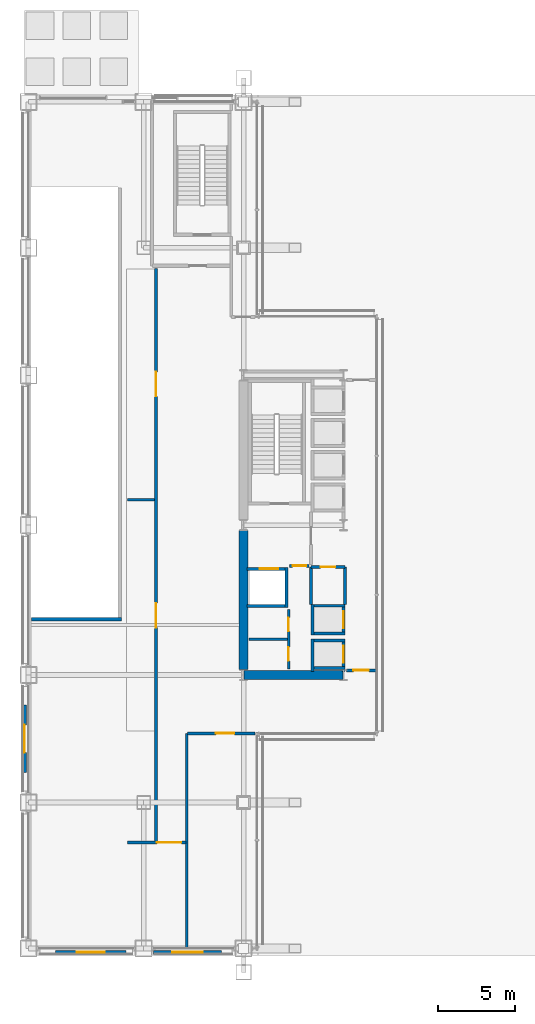
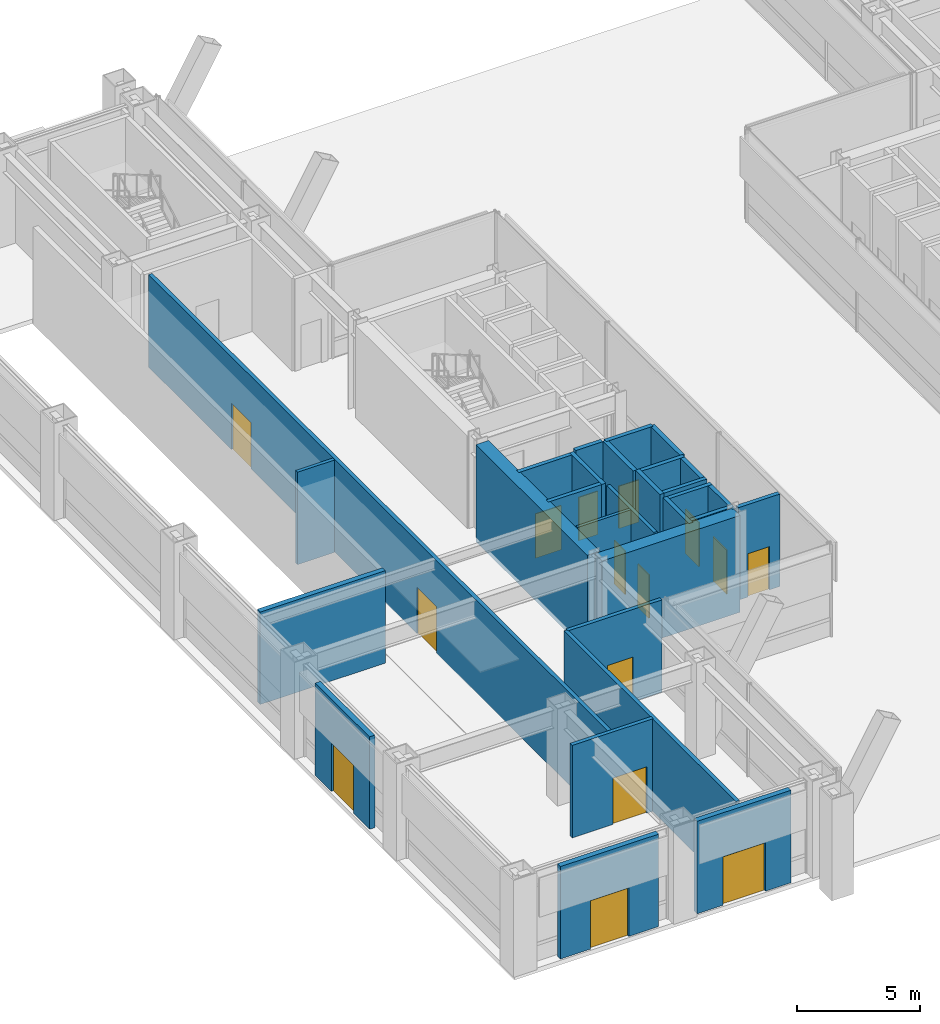
# One storey, part 30 of 37: 29 walls, 15 doors, 15 openings.
"""IFC4 building model written with IfcOpenShell, lengths in metres."""

from ifc_helpers import new_model, si_unit, direction, frame, frame_2d, origin, place, context, subcontext, project, spatial, rectangle, extrude, material, layer, layer_set, type_object, element, fill, save


model = new_model("IFC4")

# Units and contexts
model_context = context("Model", 3, precision=1e-05, world=origin(), true_north=direction((0.0, 1.0)))
body_context = subcontext(model_context, "Body", "Model", "MODEL_VIEW")
ifc_project = project(units=[si_unit("LENGTHUNIT", "METRE"), si_unit("AREAUNIT", "SQUARE_METRE"), si_unit("VOLUMEUNIT", "CUBIC_METRE"), si_unit("PLANEANGLEUNIT", "RADIAN"), si_unit("MASSUNIT", "GRAM", prefix="KILO")], contexts=[model_context])

# Site, building, storey
site_placement = place(None, origin())
site = spatial("IfcSite", under=ifc_project, at=site_placement, CompositionType="ELEMENT")
building_placement = place(site_placement, origin())
building = spatial("IfcBuilding", under=site, at=building_placement, Name="Brelmoor Portico Tower", CompositionType="ELEMENT")
storey_placement = place(building_placement, origin())
storey = spatial("IfcBuildingStorey", under=building, at=storey_placement, Name="L00", CompositionType="ELEMENT", Elevation=0.0)

# Walls
ifc_material_1 = material(Name="Concrete C60", Category="concrete")
ifc_layer_1 = layer(ifc_material_1, 0.60009765625)
ifc_layer_set_1 = layer_set([ifc_layer_1], Name="Concrete C60")
wall_type_1 = type_object("IfcWallType", Name="WL-CORE-600", PredefinedType="SHEAR", material=ifc_layer_set_1)
wall_1_placement = place(storey_placement, frame((-14.530029296875, -9.75, -0.219970703125), z_axis=(0.0, 0.0, 1.0), x_axis=(1.0, 0.0, 0.0)))
element("IfcWall", 1, at=wall_1_placement, inside=storey, type_object=wall_type_1, Name="L00 WC South Shear Wall", PredefinedType="SHEAR", context=body_context, shape_type="SweptSolid", body=[
    extrude(rectangle(XDim=6.4599609375, YDim=0.60009765625, at=frame_2d((3.22998046875, 0.0))), origin(), (0.0, 0.0, 1.0), 4.800048828125),
])
wall_2_placement = place(storey_placement, frame((-14.550048828125, -9.39990234375, -0.219970703125), z_axis=(0.0, 0.0, 1.0), x_axis=(0.0, 1.0, 0.0)))
element("IfcWall", 2, at=wall_2_placement, inside=storey, type_object=wall_type_1, Name="L00 WC Outer South Shear Wall", PredefinedType="SHEAR", context=body_context, shape_type="SweptSolid", body=[
    extrude(rectangle(XDim=9.0498046875, YDim=0.60009765625, at=frame_2d((4.52490234375, 0.0))), origin(), (0.0, 0.0, 1.0), 4.800048828125),
])

# Wall, opening, door
ifc_material_2 = material(Name="Precast Concrete C40 Insulated Facade Wall", Category="concrete")
ifc_layer_2 = layer(ifc_material_2, 0.25)
ifc_layer_set_2 = layer_set([ifc_layer_2], Name="Precast Concrete C40 Insulated Facade Wall")
wall_type_2 = type_object("IfcWallType", Name="WL-EXT-250", PredefinedType="STANDARD", material=ifc_layer_set_2)
wall_3_placement = place(storey_placement, frame((-16.0, -27.800048828125, 0.0), z_axis=(0.0, 0.0, 1.0), x_axis=(-1.0, 0.0, 0.0)))
wall_3 = element("IfcWall", 3, at=wall_3_placement, inside=storey, type_object=wall_type_2, Name="L00 Final Exit Portal Wall ED-01", PredefinedType="STANDARD", context=body_context, shape_type="SweptSolid", body=[
    extrude(rectangle(XDim=4.39990234375, YDim=0.25, at=frame_2d((2.199951171875, 0.0))), origin(), (0.0, 0.0, 1.0), 4.580078125),
])
opening_1_placement = place(wall_3_placement, frame((1.199951171875, 0.0, 0.0)))
opening_1 = element("IfcOpeningElement", 4, at=opening_1_placement, cuts=wall_3, Name="Opening ED-01", PredefinedType="OPENING", context=body_context, shape_type="SweptSolid", body=[
    extrude(rectangle(XDim=2.0, YDim=2.39990234375, at=frame_2d((1.0, 1.199951171875))), frame((0.0, 0.135009765625, 0.0), z_axis=(0.0, -1.0, 0.0), x_axis=(1.0, 0.0, 0.0)), (0.0, 0.0, 1.0), 0.27001953125),
])
ifc_material_3 = material(Name="Anodised Aluminium Outward Panic Exit Door", Category="aluminium")
door_type_1 = type_object("IfcDoorType", Name="DR-EXIT-2000", OperationType="NOTDEFINED", PredefinedType="DOOR", material=ifc_material_3)
door_1_placement = place(opening_1_placement, origin())
door_1 = element("IfcDoor", 5, at=door_1_placement, inside=storey, type_object=door_type_1, Name="D-0049 L00 Ground Final Exit Door ED-01", OperationType="DOUBLE_DOOR_SINGLE_SWING", OverallHeight=2.39990234375, OverallWidth=2.0, PredefinedType="DOOR", context=body_context, shape_type="SweptSolid", body=[
    extrude(rectangle(XDim=2.0, YDim=2.39990234375, at=frame_2d((1.0, 1.199951171875))), frame((0.0, 0.02490234375, 0.0), z_axis=(0.0, -1.0, 0.0), x_axis=(1.0, 0.0, 0.0)), (0.0, 0.0, 1.0), 0.050048828125),
])
fill(opening_1, door_1)

wall_4_placement = place(storey_placement, frame((-22.199951171875, -27.800048828125, 0.0), z_axis=(0.0, 0.0, 1.0), x_axis=(-1.0, 0.0, 0.0)))
wall_4 = element("IfcWall", 6, at=wall_4_placement, inside=storey, type_object=wall_type_2, Name="L00 Final Exit Portal Wall ED-02", PredefinedType="STANDARD", context=body_context, shape_type="SweptSolid", body=[
    extrude(rectangle(XDim=4.60009765625, YDim=0.25, at=frame_2d((2.300048828125, 0.0))), origin(), (0.0, 0.0, 1.0), 4.580078125),
])
opening_2_placement = place(wall_4_placement, frame((1.39990234375, 0.0, 0.0)))
opening_2 = element("IfcOpeningElement", 7, at=opening_2_placement, cuts=wall_4, Name="Opening ED-02", PredefinedType="OPENING", context=body_context, shape_type="SweptSolid", body=[
    extrude(rectangle(XDim=1.800048828125, YDim=2.39990234375, at=frame_2d((0.89990234375, 1.199951171875))), frame((0.0, 0.135009765625, 0.0), z_axis=(0.0, -1.0, 0.0), x_axis=(1.0, 0.0, 0.0)), (0.0, 0.0, 1.0), 0.27001953125),
])
ifc_material_4 = material(Name="Anodised Aluminium Secondary Exit Door", Category="aluminium")
door_type_2 = type_object("IfcDoorType", Name="DR-EXIT-1800", OperationType="NOTDEFINED", PredefinedType="DOOR", material=ifc_material_4)
door_2_placement = place(opening_2_placement, origin())
door_2 = element("IfcDoor", 8, at=door_2_placement, inside=storey, type_object=door_type_2, Name="D-0050 L00 Ground Final Exit Door ED-02", OperationType="DOUBLE_DOOR_SINGLE_SWING", OverallHeight=2.39990234375, OverallWidth=1.800048828125, PredefinedType="DOOR", context=body_context, shape_type="SweptSolid", body=[
    extrude(rectangle(XDim=1.800048828125, YDim=2.39990234375, at=frame_2d((0.89990234375, 1.199951171875))), frame((0.0, 0.02490234375, 0.0), z_axis=(0.0, -1.0, 0.0), x_axis=(1.0, 0.0, 0.0)), (0.0, 0.0, 1.0), 0.050048828125),
])
fill(opening_2, door_2)

wall_5_placement = place(storey_placement, frame((-28.800048828125, -16.10009765625, 0.0), z_axis=(0.0, 0.0, 1.0), x_axis=(0.0, 1.0, 0.0)))
wall_5 = element("IfcWall", 9, at=wall_5_placement, inside=storey, type_object=wall_type_2, Name="L00 Final Exit Portal Wall ED-07", PredefinedType="STANDARD", context=body_context, shape_type="SweptSolid", body=[
    extrude(rectangle(XDim=4.400146484375, YDim=0.25, at=frame_2d((2.2001953125, 0.0))), origin(), (0.0, 0.0, 1.0), 4.580078125),
])
opening_3_placement = place(wall_5_placement, frame((1.300048828125, 0.0, 0.0)))
opening_3 = element("IfcOpeningElement", 10, at=opening_3_placement, cuts=wall_5, Name="Opening ED-02", PredefinedType="OPENING", context=body_context, shape_type="SweptSolid", body=[
    extrude(rectangle(XDim=1.800048828125, YDim=2.39990234375, at=frame_2d((0.89990234375, 1.199951171875))), frame((0.0, 0.135009765625, 0.0), z_axis=(0.0, -1.0, 0.0), x_axis=(1.0, 0.0, 0.0)), (0.0, 0.0, 1.0), 0.27001953125),
])
door_3_placement = place(opening_3_placement, origin())
door_3 = element("IfcDoor", 11, at=door_3_placement, inside=storey, type_object=door_type_2, Name="D-0055 L00 Ground Final Exit Door ED-07", OperationType="DOUBLE_DOOR_SINGLE_SWING", OverallHeight=2.39990234375, OverallWidth=1.800048828125, PredefinedType="DOOR", context=body_context, shape_type="SweptSolid", body=[
    extrude(rectangle(XDim=1.800048828125, YDim=2.39990234375, at=frame_2d((0.89990234375, 1.199951171875))), frame((0.0, 0.02490234375, 0.0), z_axis=(0.0, -1.0, 0.0), x_axis=(1.0, 0.0, 0.0)), (0.0, 0.0, 1.0), 0.050048828125),
])
fill(opening_3, door_3)

# Wall
ifc_material_5 = material(Name="Insulated Stud Suite Partition", Category="gypsum")
ifc_layer_3 = layer(ifc_material_5, 0.139892578125)
ifc_layer_set_3 = layer_set([ifc_layer_3], Name="Insulated Stud Suite Partition")
wall_type_3 = type_object("IfcWallType", Name="WL-PART-140", PredefinedType="PARTITIONING", material=ifc_layer_set_3)
wall_6_placement = place(storey_placement, frame((-11.699951171875, -7.425048828125, 0.0), z_axis=(0.0, 0.0, 1.0), x_axis=(-1.0, 0.0, 0.0)))
element("IfcWall", 12, at=wall_6_placement, inside=storey, type_object=wall_type_3, Name="L00 W Core WC Divider 1", PredefinedType="PARTITIONING", context=body_context, shape_type="SweptSolid", body=[
    extrude(rectangle(XDim=2.5, YDim=0.139892578125, at=frame_2d((1.25, 0.0))), origin(), (0.0, 0.0, 1.0), 4.580078125),
])

# Wall, openings, doors
ifc_material_6 = material(Name="Twin-Frame Acoustic Partition", Category="gypsum")
ifc_layer_4 = layer(ifc_material_6, 0.159912109375)
ifc_layer_set_4 = layer_set([ifc_layer_4], Name="Twin-Frame Acoustic Partition")
wall_type_4 = type_object("IfcWallType", Name="WL-PART-160", PredefinedType="PARTITIONING", material=ifc_layer_set_4)
wall_7_placement = place(storey_placement, frame((-11.6201171875, -9.35009765625, 0.0), z_axis=(0.0, 0.0, 1.0), x_axis=(0.0, 1.0, 0.0)))
wall_7 = element("IfcWall", 13, at=wall_7_placement, inside=storey, type_object=wall_type_4, Name="L00 W Core Service Front Wall", PredefinedType="PARTITIONING", context=body_context, shape_type="SweptSolid", body=[
    extrude(rectangle(XDim=3.85009765625, YDim=0.159912109375, at=frame_2d((1.925048828125, 0.0))), origin(), (0.0, 0.0, 1.0), 4.580078125),
])
opening_4_placement = place(wall_7_placement, frame((0.512451171875, 0.0, 0.0)))
opening_4 = element("IfcOpeningElement", 14, at=opening_4_placement, cuts=wall_7, Name="Opening D-IN1", PredefinedType="OPENING", context=body_context, shape_type="SweptSolid", body=[
    extrude(rectangle(XDim=0.89990234375, YDim=2.14990234375, at=frame_2d((0.449951171875, 1.074951171875))), frame((0.0, 0.08984375, 0.0), z_axis=(0.0, -1.0, 0.0), x_axis=(1.0, 0.0, 0.0)), (0.0, 0.0, 1.0), 0.179931640625),
])
opening_5_placement = place(wall_7_placement, frame((2.4375, 0.0, 0.0)))
opening_5 = element("IfcOpeningElement", 15, at=opening_5_placement, cuts=wall_7, Name="Opening D-IN1", PredefinedType="OPENING", context=body_context, shape_type="SweptSolid", body=[
    extrude(rectangle(XDim=0.89990234375, YDim=2.14990234375, at=frame_2d((0.449951171875, 1.074951171875))), frame((0.0, 0.08984375, 0.0), z_axis=(0.0, -1.0, 0.0), x_axis=(1.0, 0.0, 0.0)), (0.0, 0.0, 1.0), 0.179931640625),
])
ifc_material_7 = material(Name="Lacquered Timber Suite Door", Category="wood")
door_type_3 = type_object("IfcDoorType", Name="DR-INT-900", OperationType="NOTDEFINED", PredefinedType="DOOR", material=ifc_material_7)
door_4_placement = place(opening_4_placement, origin())
door_4 = element("IfcDoor", 16, at=door_4_placement, inside=storey, type_object=door_type_3, Name="D-0047 L00 W Accessible WC Door", OperationType="SINGLE_SWING_LEFT", OverallHeight=2.14990234375, OverallWidth=0.89990234375, PredefinedType="DOOR", context=body_context, shape_type="SweptSolid", body=[
    extrude(rectangle(XDim=0.89990234375, YDim=2.14990234375, at=frame_2d((0.449951171875, 1.074951171875))), frame((0.0, 0.02490234375, 0.0), z_axis=(0.0, -1.0, 0.0), x_axis=(1.0, 0.0, 0.0)), (0.0, 0.0, 1.0), 0.050048828125),
])
fill(opening_4, door_4)
door_5_placement = place(opening_5_placement, origin())
door_5 = element("IfcDoor", 17, at=door_5_placement, inside=storey, type_object=door_type_3, Name="D-0048 L00 W Staff WC Door", OperationType="SINGLE_SWING_RIGHT", OverallHeight=2.14990234375, OverallWidth=0.89990234375, PredefinedType="DOOR", context=body_context, shape_type="SweptSolid", body=[
    extrude(rectangle(XDim=0.89990234375, YDim=2.14990234375, at=frame_2d((0.449951171875, 1.074951171875))), frame((0.0, 0.02490234375, 0.0), z_axis=(0.0, -1.0, 0.0), x_axis=(1.0, 0.0, 0.0)), (0.0, 0.0, 1.0), 0.050048828125),
])
fill(opening_5, door_5)

# Wall
wall_8_placement = place(storey_placement, frame((-20.35009765625, 1.64990234375, 0.0), z_axis=(0.0, 0.0, 1.0), x_axis=(-1.0, 0.0, 0.0)))
element("IfcWall", 18, at=wall_8_placement, inside=storey, type_object=wall_type_4, Name="L00 W Wing Divider 1", PredefinedType="PARTITIONING", context=body_context, shape_type="SweptSolid", body=[
    extrude(rectangle(XDim=1.75, YDim=0.159912109375, at=frame_2d((0.875, 0.0))), origin(), (0.0, 0.0, 1.0), 4.580078125),
])

# Wall, openings, doors
ifc_material_8 = material(Name="Acoustic Corridor Fire Partition", Category="gypsum")
ifc_layer_5 = layer(ifc_material_8, 0.179931640625)
ifc_layer_set_5 = layer_set([ifc_layer_5], Name="Acoustic Corridor Fire Partition")
wall_type_5 = type_object("IfcWallType", Name="WL-PART-180", PredefinedType="PARTITIONING", material=ifc_layer_set_5)
wall_9_placement = place(storey_placement, frame((-20.25, -20.60009765625, 0.0), z_axis=(0.0, 0.0, 1.0), x_axis=(0.0, 1.0, 0.0)))
wall_9 = element("IfcWall", 19, at=wall_9_placement, inside=storey, type_object=wall_type_5, Name="L00 W Wing Concourse Wall", PredefinedType="PARTITIONING", context=body_context, shape_type="SweptSolid", body=[
    extrude(rectangle(XDim=37.300048828125, YDim=0.179931640625, at=frame_2d((18.64990234375, 0.0))), origin(), (0.0, 0.0, 1.0), 4.580078125),
])
opening_6_placement = place(wall_9_placement, frame((13.925048828125, 0.0, 0.0)))
opening_6 = element("IfcOpeningElement", 20, at=opening_6_placement, cuts=wall_9, Name="Opening D-PB1", PredefinedType="OPENING", context=body_context, shape_type="SweptSolid", body=[
    extrude(rectangle(XDim=1.60009765625, YDim=2.300048828125, at=frame_2d((0.800048828125, 1.14990234375))), frame((0.0, 0.099853515625, 0.0), z_axis=(0.0, -1.0, 0.0), x_axis=(1.0, 0.0, 0.0)), (0.0, 0.0, 1.0), 0.199951171875),
])
opening_7_placement = place(wall_9_placement, frame((28.97509765625, 0.0, 0.0)))
opening_7 = element("IfcOpeningElement", 21, at=opening_7_placement, cuts=wall_9, Name="Opening D-PB1", PredefinedType="OPENING", context=body_context, shape_type="SweptSolid", body=[
    extrude(rectangle(XDim=1.60009765625, YDim=2.300048828125, at=frame_2d((0.800048828125, 1.14990234375))), frame((0.0, 0.099853515625, 0.0), z_axis=(0.0, -1.0, 0.0), x_axis=(1.0, 0.0, 0.0)), (0.0, 0.0, 1.0), 0.199951171875),
])
ifc_material_9 = material(Name="Double-Leaf Anodised Aluminium Hall Door", Category="aluminium")
door_type_4 = type_object("IfcDoorType", Name="DR-PUBLIC-1600", OperationType="NOTDEFINED", PredefinedType="DOOR", material=ifc_material_9)
door_6_placement = place(opening_6_placement, origin())
door_6 = element("IfcDoor", 22, at=door_6_placement, inside=storey, type_object=door_type_4, Name="D-0075 L00 W Public Exhibition Studio Door", OperationType="DOUBLE_DOOR_SINGLE_SWING", OverallHeight=2.300048828125, OverallWidth=1.60009765625, PredefinedType="DOOR", context=body_context, shape_type="SweptSolid", body=[
    extrude(rectangle(XDim=1.60009765625, YDim=2.300048828125, at=frame_2d((0.800048828125, 1.14990234375))), frame((0.0, 0.02490234375, 0.0), z_axis=(0.0, -1.0, 0.0), x_axis=(1.0, 0.0, 0.0)), (0.0, 0.0, 1.0), 0.050048828125),
])
fill(opening_6, door_6)
door_7_placement = place(opening_7_placement, origin())
door_7 = element("IfcDoor", 23, at=door_7_placement, inside=storey, type_object=door_type_4, Name="D-0076 L00 W Flagship Retail Arcade Door", OperationType="DOUBLE_DOOR_SINGLE_SWING", OverallHeight=2.300048828125, OverallWidth=1.60009765625, PredefinedType="DOOR", context=body_context, shape_type="SweptSolid", body=[
    extrude(rectangle(XDim=1.60009765625, YDim=2.300048828125, at=frame_2d((0.800048828125, 1.14990234375))), frame((0.0, 0.02490234375, 0.0), z_axis=(0.0, -1.0, 0.0), x_axis=(1.0, 0.0, 0.0)), (0.0, 0.0, 1.0), 0.050048828125),
])
fill(opening_7, door_7)

# Wall, opening, door
wall_10_placement = place(storey_placement, frame((-13.800048828125, -13.550048828125, 0.0), z_axis=(0.0, 0.0, 1.0), x_axis=(-1.0, 0.0, 0.0)))
wall_10 = element("IfcWall", 24, at=wall_10_placement, inside=storey, type_object=wall_type_5, Name="L00 W South Hall Wall", PredefinedType="PARTITIONING", context=body_context, shape_type="SweptSolid", body=[
    extrude(rectangle(XDim=4.39990234375, YDim=0.179931640625, at=frame_2d((2.199951171875, 0.0))), origin(), (0.0, 0.0, 1.0), 4.580078125),
])
opening_8_placement = place(wall_10_placement, frame((1.35009765625, 0.0, 0.0)))
opening_8 = element("IfcOpeningElement", 25, at=opening_8_placement, cuts=wall_10, Name="Opening D-FR3", PredefinedType="OPENING", context=body_context, shape_type="SweptSolid", body=[
    extrude(rectangle(XDim=1.199951171875, YDim=2.219970703125, at=frame_2d((0.60009765625, 1.10986328125))), frame((0.0, 0.099853515625, 0.0), z_axis=(0.0, -1.0, 0.0), x_axis=(1.0, 0.0, 0.0)), (0.0, 0.0, 1.0), 0.199951171875),
])
ifc_material_10 = material(Name="Painted Galvanised Steel Fire Door", Category="steel")
door_type_5 = type_object("IfcDoorType", Name="DR-FIRE-1200", OperationType="NOTDEFINED", PredefinedType="DOOR", material=ifc_material_10)
door_8_placement = place(opening_8_placement, origin())
door_8 = element("IfcDoor", 26, at=door_8_placement, inside=storey, type_object=door_type_5, Name="D-0070 L00 W Fire Command Centre Door", OperationType="SINGLE_SWING_LEFT", OverallHeight=2.219970703125, OverallWidth=1.199951171875, PredefinedType="DOOR", context=body_context, shape_type="SweptSolid", body=[
    extrude(rectangle(XDim=1.199951171875, YDim=2.219970703125, at=frame_2d((0.60009765625, 1.10986328125))), frame((0.0, 0.02490234375, 0.0), z_axis=(0.0, -1.0, 0.0), x_axis=(1.0, 0.0, 0.0)), (0.0, 0.0, 1.0), 0.050048828125),
])
fill(opening_8, door_8)

# Wall
wall_11_placement = place(storey_placement, frame((-18.25, -27.5, 0.0), z_axis=(0.0, 0.0, 1.0), x_axis=(0.0, 1.0, 0.0)))
element("IfcWall", 27, at=wall_11_placement, inside=storey, type_object=wall_type_5, Name="L00 W South Studio Side Wall", PredefinedType="PARTITIONING", context=body_context, shape_type="SweptSolid", body=[
    extrude(rectangle(XDim=13.949951171875, YDim=0.179931640625, at=frame_2d((6.97509765625, 0.0))), origin(), (0.0, 0.0, 1.0), 4.580078125),
])

# Wall, opening, door
wall_12_placement = place(storey_placement, frame((-18.300048828125, -20.64990234375, 0.0), z_axis=(0.0, 0.0, 1.0), x_axis=(-1.0, 0.0, 0.0)))
wall_12 = element("IfcWall", 28, at=wall_12_placement, inside=storey, type_object=wall_type_5, Name="L00 W South Corner Concourse Wall", PredefinedType="PARTITIONING", context=body_context, shape_type="SweptSolid", body=[
    extrude(rectangle(XDim=3.800048828125, YDim=0.179931640625, at=frame_2d((1.89990234375, 0.0))), origin(), (0.0, 0.0, 1.0), 4.580078125),
])
opening_9_placement = place(wall_12_placement, frame((0.300048828125, 0.0, 0.0)))
opening_9 = element("IfcOpeningElement", 29, at=opening_9_placement, cuts=wall_12, Name="Opening D-PB1", PredefinedType="OPENING", context=body_context, shape_type="SweptSolid", body=[
    extrude(rectangle(XDim=1.60009765625, YDim=2.300048828125, at=frame_2d((0.800048828125, 1.14990234375))), frame((0.0, 0.099853515625, 0.0), z_axis=(0.0, -1.0, 0.0), x_axis=(1.0, 0.0, 0.0)), (0.0, 0.0, 1.0), 0.199951171875),
])
door_9_placement = place(opening_9_placement, origin())
door_9 = element("IfcDoor", 30, at=door_9_placement, inside=storey, type_object=door_type_4, Name="D-0072 L00 W South Corner Retail Door", OperationType="DOUBLE_DOOR_SINGLE_SWING", OverallHeight=2.300048828125, OverallWidth=1.60009765625, PredefinedType="DOOR", context=body_context, shape_type="SweptSolid", body=[
    extrude(rectangle(XDim=1.60009765625, YDim=2.300048828125, at=frame_2d((0.800048828125, 1.14990234375))), frame((0.0, 0.02490234375, 0.0), z_axis=(0.0, -1.0, 0.0), x_axis=(1.0, 0.0, 0.0)), (0.0, 0.0, 1.0), 0.050048828125),
])
fill(opening_9, door_9)

ifc_material_11 = material(Name="Double-Stud Gypsum Fire Partition", Category="gypsum")
ifc_layer_6 = layer(ifc_material_11, 0.199951171875)
ifc_layer_set_6 = layer_set([ifc_layer_6], Name="Double-Stud Gypsum Fire Partition")
wall_type_6 = type_object("IfcWallType", Name="WL-PART-200", PredefinedType="PARTITIONING", material=ifc_layer_set_6)
wall_13_placement = place(storey_placement, frame((-10.280029296875, -2.64990234375, 0.0), z_axis=(0.0, 0.0, 1.0), x_axis=(-1.0, 0.0, 0.0)))
wall_13 = element("IfcWall", 31, at=wall_13_placement, inside=storey, type_object=wall_type_6, Name="L00 W Firefighting Lobby South Wall", PredefinedType="PARTITIONING", context=body_context, shape_type="SweptSolid", body=[
    extrude(rectangle(XDim=1.27001953125, YDim=0.199951171875, at=frame_2d((0.635009765625, 0.0))), origin(), (0.0, 0.0, 1.0), 4.580078125),
])
opening_10_placement = place(wall_13_placement, frame((0.18505859375, 0.0, 0.0)))
opening_10 = element("IfcOpeningElement", 32, at=opening_10_placement, cuts=wall_13, Name="Opening D-IN1", PredefinedType="OPENING", context=body_context, shape_type="SweptSolid", body=[
    extrude(rectangle(XDim=0.89990234375, YDim=2.14990234375, at=frame_2d((0.449951171875, 1.074951171875))), frame((0.0, 0.10986328125, 0.0), z_axis=(0.0, -1.0, 0.0), x_axis=(1.0, 0.0, 0.0)), (0.0, 0.0, 1.0), 0.219970703125),
])
door_10_placement = place(opening_10_placement, origin())
door_10 = element("IfcDoor", 33, at=door_10_placement, inside=storey, type_object=door_type_3, Name="D-0046 L00 W Core Service Vestibule Door", OperationType="SINGLE_SWING_LEFT", OverallHeight=2.14990234375, OverallWidth=0.89990234375, PredefinedType="DOOR", context=body_context, shape_type="SweptSolid", body=[
    extrude(rectangle(XDim=0.89990234375, YDim=2.14990234375, at=frame_2d((0.449951171875, 1.074951171875))), frame((0.0, 0.02490234375, 0.0), z_axis=(0.0, -1.0, 0.0), x_axis=(1.0, 0.0, 0.0)), (0.0, 0.0, 1.0), 0.050048828125),
])
fill(opening_10, door_10)

wall_14_placement = place(storey_placement, frame((-7.9599609375, -2.719970703125, 0.0), z_axis=(0.0, 0.0, 1.0), x_axis=(-1.0, 0.0, 0.0)))
wall_14 = element("IfcWall", 34, at=wall_14_placement, inside=storey, type_object=wall_type_6, Name="L00 W Electrical Switchgear Closet Wall", PredefinedType="PARTITIONING", context=body_context, shape_type="SweptSolid", body=[
    extrude(rectangle(XDim=2.199951171875, YDim=0.199951171875, at=frame_2d((1.10009765625, 0.0))), origin(), (0.0, 0.0, 1.0), 4.580078125),
])
opening_11_placement = place(wall_14_placement, frame((0.6201171875, 0.0, 0.0)))
opening_11 = element("IfcOpeningElement", 35, at=opening_11_placement, cuts=wall_14, Name="Opening D-FR4", PredefinedType="OPENING", context=body_context, shape_type="SweptSolid", body=[
    extrude(rectangle(XDim=0.949951171875, YDim=2.10009765625, at=frame_2d((0.47509765625, 1.050048828125))), frame((0.0, 0.10986328125, 0.0), z_axis=(0.0, -1.0, 0.0), x_axis=(1.0, 0.0, 0.0)), (0.0, 0.0, 1.0), 0.219970703125),
])
ifc_material_12 = material(Name="Painted Galvanised Steel Riser Door", Category="steel")
door_type_6 = type_object("IfcDoorType", Name="DR-FIRE-950", OperationType="NOTDEFINED", PredefinedType="DOOR", material=ifc_material_12)
door_11_placement = place(opening_11_placement, origin())
door_11 = element("IfcDoor", 36, at=door_11_placement, inside=storey, type_object=door_type_6, Name="D-0058 L00 W Electrical Switchgear Closet Door", OperationType="SINGLE_SWING_RIGHT", OverallHeight=2.10009765625, OverallWidth=0.949951171875, PredefinedType="DOOR", context=body_context, shape_type="SweptSolid", body=[
    extrude(rectangle(XDim=0.949951171875, YDim=2.10009765625, at=frame_2d((0.47509765625, 1.050048828125))), frame((0.0, 0.02490234375, 0.0), z_axis=(0.0, -1.0, 0.0), x_axis=(1.0, 0.0, 0.0)), (0.0, 0.0, 1.0), 0.050048828125),
])
fill(opening_11, door_11)

# Walls
for number, where, z_axis, x_axis, name in (
    (37, (-7.9599609375, -5.159912109375, 0.0), (0.0, 0.0, 1.0), (0.0, 1.0, 0.0), "L00 W Electrical Switchgear Closet Inner Wall"),
    (38, (-10.159912109375, -5.159912109375, 0.0), (0.0, 0.0, 1.0), (0.0, 1.0, 0.0), "L00 W Electrical Switchgear Closet Outer Wall"),
):
    element("IfcWall", number, at=place(storey_placement, frame(where, z_axis=z_axis, x_axis=x_axis)), inside=storey, type_object=wall_type_6, Name=name, PredefinedType="PARTITIONING", context=body_context, shape_type="SweptSolid", body=[
        extrude(rectangle(XDim=2.43994140625, YDim=0.199951171875, at=frame_2d((1.219970703125, 0.0))), origin(), (0.0, 0.0, 1.0), 4.580078125),
    ])

# Wall, opening, door
wall_15_placement = place(storey_placement, frame((-7.85009765625, -9.449951171875, 0.0), z_axis=(0.0, 0.0, 1.0), x_axis=(1.0, 0.0, 0.0)))
wall_15 = element("IfcWall", 39, at=wall_15_placement, inside=storey, type_object=wall_type_6, Name="L00 W Pier Lift Lobby South Wall", PredefinedType="PARTITIONING", context=body_context, shape_type="SweptSolid", body=[
    extrude(rectangle(XDim=1.93017578125, YDim=0.199951171875, at=frame_2d((0.965087890625, 0.0))), origin(), (0.0, 0.0, 1.0), 4.580078125),
])
opening_12_placement = place(wall_15_placement, frame((0.449951171875, 0.0, 0.0)))
opening_12 = element("IfcOpeningElement", 40, at=opening_12_placement, cuts=wall_15, Name="Opening D-FR2", PredefinedType="OPENING", context=body_context, shape_type="SweptSolid", body=[
    extrude(rectangle(XDim=1.0, YDim=2.14990234375, at=frame_2d((0.5, 1.074951171875))), frame((0.0, 0.10986328125, 0.0), z_axis=(0.0, -1.0, 0.0), x_axis=(1.0, 0.0, 0.0)), (0.0, 0.0, 1.0), 0.219970703125),
])
door_type_7 = type_object("IfcDoorType", Name="DR-FIRE-1000", OperationType="NOTDEFINED", PredefinedType="DOOR", material=ifc_material_10)
door_12_placement = place(opening_12_placement, origin())
door_12 = element("IfcDoor", 41, at=door_12_placement, inside=storey, type_object=door_type_7, Name="D-0066 L00 W Pier Lift Lobby South Door", OperationType="SINGLE_SWING_RIGHT", OverallHeight=2.14990234375, OverallWidth=1.0, PredefinedType="DOOR", context=body_context, shape_type="SweptSolid", body=[
    extrude(rectangle(XDim=1.0, YDim=2.14990234375, at=frame_2d((0.5, 1.074951171875))), frame((0.0, 0.02490234375, 0.0), z_axis=(0.0, -1.0, 0.0), x_axis=(1.0, 0.0, 0.0)), (0.0, 0.0, 1.0), 0.050048828125),
])
fill(opening_12, door_12)

ifc_material_13 = material(Name="Precast Concrete C40", Category="concrete")
ifc_layer_7 = layer(ifc_material_13, 0.18994140625)
ifc_layer_set_7 = layer_set([ifc_layer_7], Name="Precast Concrete C40")
wall_type_7 = type_object("IfcWallType", Name="WL-SHAFT-180", PredefinedType="SOLIDWALL", material=ifc_layer_set_7)
wall_16_placement = place(storey_placement, frame((-8.044921875, -9.52001953125, -0.219970703125), z_axis=(0.0, 0.0, 1.0), x_axis=(0.0, 1.0, 0.0)))
wall_16 = element("IfcWall", 42, at=wall_16_placement, inside=storey, type_object=wall_type_7, Name="L00 Lift PH1 Hoistway Front Wall", PredefinedType="SOLIDWALL", context=body_context, shape_type="SweptSolid", body=[
    extrude(rectangle(XDim=2.1201171875, YDim=0.18994140625, at=frame_2d((1.06005859375, 0.0))), origin(), (0.0, 0.0, 1.0), 4.800048828125),
])
opening_13_placement = place(wall_16_placement, frame((0.570068359375, 0.0, 0.219970703125)))
opening_13 = element("IfcOpeningElement", 43, at=opening_13_placement, cuts=wall_16, Name="Opening LD-01", PredefinedType="OPENING", context=body_context, shape_type="SweptSolid", body=[
    extrude(rectangle(XDim=1.10009765625, YDim=2.199951171875, at=frame_2d((0.550048828125, 1.10009765625))), frame((0.0, 0.10498046875, 0.0), z_axis=(0.0, -1.0, 0.0), x_axis=(1.0, 0.0, 0.0)), (0.0, 0.0, 1.0), 0.2099609375),
])
ifc_material_14 = material(Name="Brushed Stainless Steel Sliding Lift Door", Category="steel")
door_type_8 = type_object("IfcDoorType", Name="DR-LIFT-1100", OperationType="NOTDEFINED", PredefinedType="DOOR", material=ifc_material_14)
door_13_placement = place(opening_13_placement, origin())
door_13 = element("IfcDoor", 44, at=door_13_placement, inside=storey, type_object=door_type_8, Name="D-0084 L00 Lift PH1 Sliding Landing Door", OperationType="SLIDING_TO_LEFT", OverallHeight=2.199951171875, OverallWidth=1.10009765625, PredefinedType="DOOR", context=body_context, shape_type="SweptSolid", body=[
    extrude(rectangle(XDim=1.10009765625, YDim=2.199951171875, at=frame_2d((0.550048828125, 1.10009765625))), frame((0.0, 0.02490234375, 0.0), z_axis=(0.0, -1.0, 0.0), x_axis=(1.0, 0.0, 0.0)), (0.0, 0.0, 1.0), 0.050048828125),
])
fill(opening_13, door_13)

# Walls
wall_17_placement = place(storey_placement, frame((-10.054931640625, -9.52001953125, -0.219970703125), z_axis=(0.0, 0.0, 1.0), x_axis=(0.0, 1.0, 0.0)))
element("IfcWall", 45, at=wall_17_placement, inside=storey, type_object=wall_type_7, Name="L00 Lift PH1 Hoistway Back Wall", PredefinedType="SOLIDWALL", context=body_context, shape_type="SweptSolid", body=[
    extrude(rectangle(XDim=2.1201171875, YDim=0.18994140625, at=frame_2d((1.06005859375, 0.0))), origin(), (0.0, 0.0, 1.0), 4.800048828125),
])
for number, where, z_axis, x_axis, name in (
    (46, (-10.14990234375, -7.4951171875, -0.219970703125), (0.0, 0.0, 1.0), (1.0, 0.0, 0.0), "L00 Lift PH1 Hoistway North Wall"),
    (47, (-10.14990234375, -9.304931640625, -0.219970703125), (0.0, 0.0, 1.0), (1.0, 0.0, 0.0), "L00 Lift PH1 Hoistway South Wall"),
):
    element("IfcWall", number, at=place(storey_placement, frame(where, z_axis=z_axis, x_axis=x_axis)), inside=storey, type_object=wall_type_7, Name=name, PredefinedType="SOLIDWALL", context=body_context, shape_type="SweptSolid", body=[
        extrude(rectangle(XDim=2.199951171875, YDim=0.18994140625, at=frame_2d((1.10009765625, 0.0))), origin(), (0.0, 0.0, 1.0), 4.800048828125),
    ])

# Wall, opening, door
wall_18_placement = place(storey_placement, frame((-8.044921875, -7.14990234375, -0.219970703125), z_axis=(0.0, 0.0, 1.0), x_axis=(0.0, 1.0, 0.0)))
wall_18 = element("IfcWall", 48, at=wall_18_placement, inside=storey, type_object=wall_type_7, Name="L00 Lift PH2 Hoistway Front Wall", PredefinedType="SOLIDWALL", context=body_context, shape_type="SweptSolid", body=[
    extrude(rectangle(XDim=2.0, YDim=0.18994140625, at=frame_2d((1.0, 0.0))), origin(), (0.0, 0.0, 1.0), 4.800048828125),
])
opening_14_placement = place(wall_18_placement, frame((0.449951171875, 0.0, 0.219970703125)))
opening_14 = element("IfcOpeningElement", 49, at=opening_14_placement, cuts=wall_18, Name="Opening LD-01", PredefinedType="OPENING", context=body_context, shape_type="SweptSolid", body=[
    extrude(rectangle(XDim=1.10009765625, YDim=2.199951171875, at=frame_2d((0.550048828125, 1.10009765625))), frame((0.0, 0.10498046875, 0.0), z_axis=(0.0, -1.0, 0.0), x_axis=(1.0, 0.0, 0.0)), (0.0, 0.0, 1.0), 0.2099609375),
])
door_14_placement = place(opening_14_placement, origin())
door_14 = element("IfcDoor", 50, at=door_14_placement, inside=storey, type_object=door_type_8, Name="D-0085 L00 Lift PH2 Sliding Landing Door", OperationType="SLIDING_TO_LEFT", OverallHeight=2.199951171875, OverallWidth=1.10009765625, PredefinedType="DOOR", context=body_context, shape_type="SweptSolid", body=[
    extrude(rectangle(XDim=1.10009765625, YDim=2.199951171875, at=frame_2d((0.550048828125, 1.10009765625))), frame((0.0, 0.02490234375, 0.0), z_axis=(0.0, -1.0, 0.0), x_axis=(1.0, 0.0, 0.0)), (0.0, 0.0, 1.0), 0.050048828125),
])
fill(opening_14, door_14)

# Walls
wall_19_placement = place(storey_placement, frame((-10.054931640625, -7.14990234375, -0.219970703125), z_axis=(0.0, 0.0, 1.0), x_axis=(0.0, 1.0, 0.0)))
element("IfcWall", 51, at=wall_19_placement, inside=storey, type_object=wall_type_7, Name="L00 Lift PH2 Hoistway Back Wall", PredefinedType="SOLIDWALL", context=body_context, shape_type="SweptSolid", body=[
    extrude(rectangle(XDim=2.0, YDim=0.18994140625, at=frame_2d((1.0, 0.0))), origin(), (0.0, 0.0, 1.0), 4.800048828125),
])
for number, where, z_axis, x_axis, name in (
    (52, (-10.14990234375, -5.2451171875, -0.219970703125), (0.0, 0.0, 1.0), (1.0, 0.0, 0.0), "L00 Lift PH2 Hoistway North Wall"),
    (53, (-10.14990234375, -7.054931640625, -0.219970703125), (0.0, 0.0, 1.0), (1.0, 0.0, 0.0), "L00 Lift PH2 Hoistway South Wall"),
):
    element("IfcWall", number, at=place(storey_placement, frame(where, z_axis=z_axis, x_axis=x_axis)), inside=storey, type_object=wall_type_7, Name=name, PredefinedType="SOLIDWALL", context=body_context, shape_type="SweptSolid", body=[
        extrude(rectangle(XDim=2.199951171875, YDim=0.18994140625, at=frame_2d((1.10009765625, 0.0))), origin(), (0.0, 0.0, 1.0), 4.800048828125),
    ])

# Wall, opening, door
wall_20_placement = place(storey_placement, frame((-14.330078125, -2.844970703125, -0.219970703125), z_axis=(0.0, 0.0, 1.0), x_axis=(1.0, 0.0, 0.0)))
wall_20 = element("IfcWall", 54, at=wall_20_placement, inside=storey, type_object=wall_type_7, Name="L00 Lift FF1 Hoistway Front Wall", PredefinedType="SOLIDWALL", context=body_context, shape_type="SweptSolid", body=[
    extrude(rectangle(XDim=2.68017578125, YDim=0.18994140625, at=frame_2d((1.340087890625, 0.0))), origin(), (0.0, 0.0, 1.0), 4.800048828125),
])
opening_15_placement = place(wall_20_placement, frame((0.830078125, 0.0, 0.219970703125)))
opening_15 = element("IfcOpeningElement", 55, at=opening_15_placement, cuts=wall_20, Name="Opening LD-02", PredefinedType="OPENING", context=body_context, shape_type="SweptSolid", body=[
    extrude(rectangle(XDim=1.199951171875, YDim=2.199951171875, at=frame_2d((0.60009765625, 1.10009765625))), frame((0.0, 0.10498046875, 0.0), z_axis=(0.0, -1.0, 0.0), x_axis=(1.0, 0.0, 0.0)), (0.0, 0.0, 1.0), 0.2099609375),
])
ifc_material_15 = material(Name="Brushed Stainless Steel Firefighting Lift Door", Category="steel")
door_type_9 = type_object("IfcDoorType", Name="DR-LIFT-1200", OperationType="NOTDEFINED", PredefinedType="DOOR", material=ifc_material_15)
door_15_placement = place(opening_15_placement, origin())
door_15 = element("IfcDoor", 56, at=door_15_placement, inside=storey, type_object=door_type_9, Name="D-0082 L00 Lift FF1 Sliding Landing Door", OperationType="SLIDING_TO_LEFT", OverallHeight=2.199951171875, OverallWidth=1.199951171875, PredefinedType="DOOR", context=body_context, shape_type="SweptSolid", body=[
    extrude(rectangle(XDim=1.199951171875, YDim=2.199951171875, at=frame_2d((0.60009765625, 1.10009765625))), frame((0.0, 0.02490234375, 0.0), z_axis=(0.0, -1.0, 0.0), x_axis=(1.0, 0.0, 0.0)), (0.0, 0.0, 1.0), 0.050048828125),
])
fill(opening_15, door_15)

# Walls
wall_21_placement = place(storey_placement, frame((-14.330078125, -5.2548828125, -0.219970703125), z_axis=(0.0, 0.0, 1.0), x_axis=(1.0, 0.0, 0.0)))
element("IfcWall", 57, at=wall_21_placement, inside=storey, type_object=wall_type_7, Name="L00 Firefighting Lift FF1 South Wall", PredefinedType="SOLIDWALL", context=body_context, shape_type="SweptSolid", body=[
    extrude(rectangle(XDim=2.68017578125, YDim=0.18994140625, at=frame_2d((1.340087890625, 0.0))), origin(), (0.0, 0.0, 1.0), 4.800048828125),
])
wall_22_placement = place(storey_placement, frame((-11.7451171875, -5.35009765625, -0.219970703125), z_axis=(0.0, 0.0, 1.0), x_axis=(0.0, 1.0, 0.0)))
element("IfcWall", 58, at=wall_22_placement, inside=storey, type_object=wall_type_7, Name="L00 Firefighting Lift FF1 Inner Wall", PredefinedType="SOLIDWALL", context=body_context, shape_type="SweptSolid", body=[
    extrude(rectangle(XDim=2.60009765625, YDim=0.18994140625, at=frame_2d((1.300048828125, 0.0))), origin(), (0.0, 0.0, 1.0), 4.800048828125),
])
ifc_material_16 = material(Name="Concrete C40", Category="concrete")
ifc_layer_8 = layer(ifc_material_16, 0.239990234375)
ifc_layer_set_8 = layer_set([ifc_layer_8], Name="Concrete C40")
wall_type_8 = type_object("IfcWallType", Name="WL-SHAFT-RC240", PredefinedType="SOLIDWALL", material=ifc_layer_set_8)
wall_23_placement = place(storey_placement, frame((-28.35009765625, -6.1201171875, 0.0), z_axis=(0.0, 0.0, 1.0), x_axis=(1.0, 0.0, 0.0)))
element("IfcWall", 59, at=wall_23_placement, inside=storey, type_object=wall_type_8, Name="L00 Ramp VR-1 South Headwall", PredefinedType="SOLIDWALL", context=body_context, shape_type="SweptSolid", body=[
    extrude(rectangle(XDim=5.8701171875, YDim=0.239990234375, at=frame_2d((2.93505859375, 0.0))), origin(), (0.0, 0.0, 1.0), 4.580078125),
])

save(model, "model.ifc")
